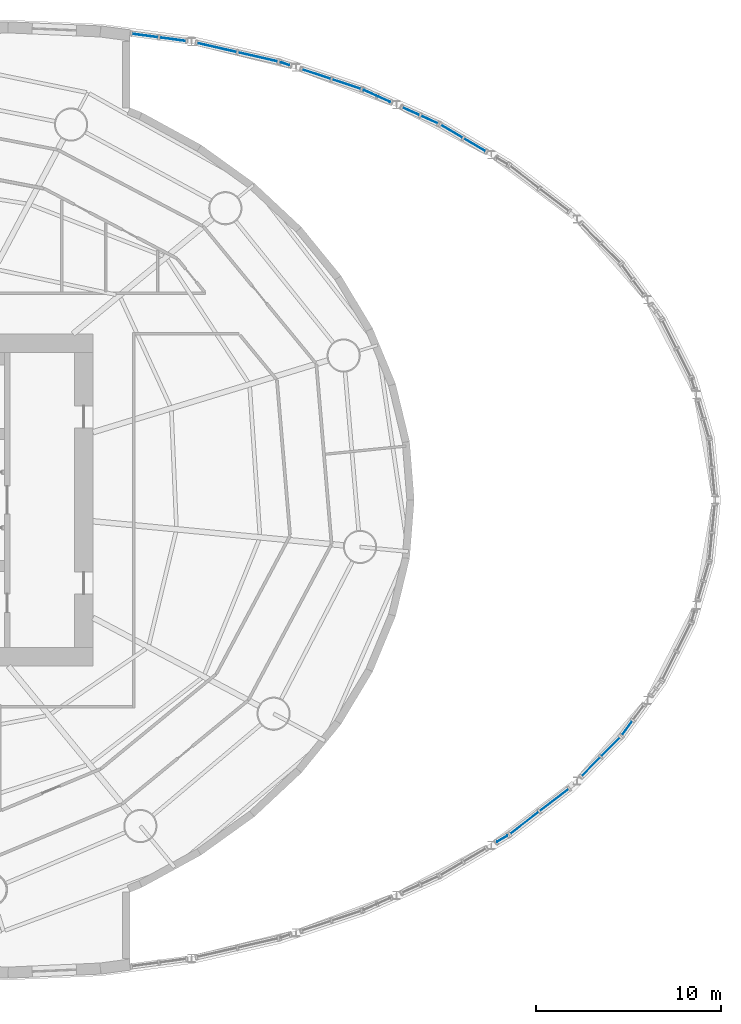
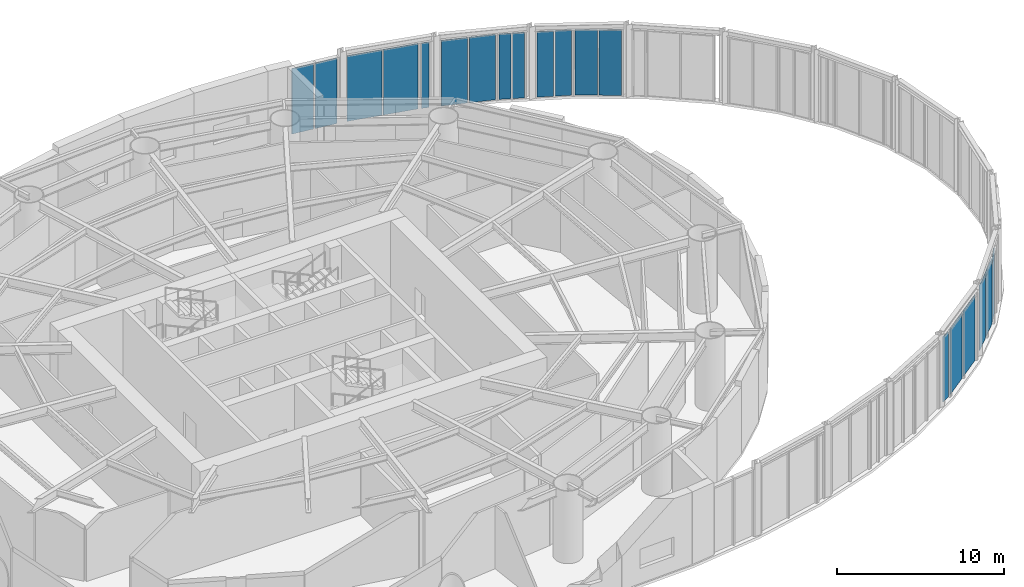
# One storey, part 12 of 19: 19 plates, 11 elements without a shape of their own.
"""IFC4 building model written with IfcOpenShell, lengths in metres."""

from ifc_helpers import new_model, si_unit, direction, frame, origin, origin_2d, place, context, subcontext, project, spatial, rectangle, extrude, material, layer, layer_set, type_object, element, aggregate, save


model = new_model("IFC4")

# Units and contexts
model_context = context("Model", 3, precision=1e-05, world=origin(), true_north=direction((0.0, 1.0)))
body_context = subcontext(model_context, "Body", "Model", "MODEL_VIEW")
ifc_project = project(units=[si_unit("LENGTHUNIT", "METRE"), si_unit("AREAUNIT", "SQUARE_METRE"), si_unit("VOLUMEUNIT", "CUBIC_METRE"), si_unit("PLANEANGLEUNIT", "RADIAN"), si_unit("MASSUNIT", "GRAM", prefix="KILO")], contexts=[model_context])

# Site, building, storey
site_placement = place(None, origin())
site = spatial("IfcSite", under=ifc_project, at=site_placement, CompositionType="ELEMENT")
building_placement = place(site_placement, origin())
building = spatial("IfcBuilding", under=site, at=building_placement, Name="Vermilion Reach Broadcast Tower", CompositionType="ELEMENT")
storey_placement = place(building_placement, frame((0.0, 0.0, 26.0)))
storey = spatial("IfcBuildingStorey", under=building, at=storey_placement, Name="L03", CompositionType="ELEMENT", Elevation=26.0)

# Curtain wall, plate
ifc_material_1 = material(Name="Low-e laminated clear glass in aluminium frame", Category="aluminium")
curtain_wall_type = type_object("IfcCurtainWallType", Name="Atrium outer wall curtain wall", PredefinedType="NOTDEFINED", material=ifc_material_1)
placement = place(storey_placement, origin())
curtain_wall_1 = element("IfcCurtainWall", 1, at=placement, inside=storey, type_object=curtain_wall_type, Name="Atrium wall L03 05-2", PredefinedType="NOTDEFINED")
ifc_material_2 = material(Name="Low-e laminated clear glass", Category="glass")
ifc_layer = layer(ifc_material_2, 0.035888671875)
ifc_layer_set = layer_set([ifc_layer], Name="Atrium outer wall glass panel")
plate_type = type_object("IfcPlateType", Name="Atrium outer wall glass panel", PredefinedType="CURTAIN_PANEL", material=ifc_layer_set)
plate_1_placement = place(storey_placement, frame((28.166748046875, -18.348876953125, 0.0), z_axis=(0.0, 0.0, 1.0), x_axis=(0.861009057017, 0.508589622127, 0.0)))
plate_1 = element("IfcPlate", 2, at=plate_1_placement, type_object=plate_type, Name="Atrium wall glass panel L03 05-2.1.1", PredefinedType="CURTAIN_PANEL", context=body_context, shape_type="SweptSolid", body=[
    extrude(rectangle(XDim=0.636474609375, YDim=0.035888671875, at=origin_2d()), origin(), (0.0, 0.0, 1.0), 4.7900390625),
])
aggregate(curtain_wall_1, [plate_1])

# Curtain wall, plates
curtain_wall_2 = element("IfcCurtainWall", 3, at=placement, inside=storey, type_object=curtain_wall_type, Name="Atrium wall L03 06", PredefinedType="NOTDEFINED")
plate_2_placement = place(storey_placement, frame((29.37158203125, -17.4873046875, 0.0), z_axis=(0.0, 0.0, 1.0), x_axis=(0.793082736826, 0.609113924113, 0.0)))
plate_2 = element("IfcPlate", 4, at=plate_2_placement, type_object=plate_type, Name="Atrium wall glass panel L03 06.1.1", PredefinedType="CURTAIN_PANEL", context=body_context, shape_type="SweptSolid", body=[
    extrude(rectangle(XDim=1.9296875, YDim=0.035888671875, at=origin_2d()), origin(), (0.0, 0.0, 1.0), 4.7900390625),
])
plate_3_placement = place(storey_placement, frame((30.981201171875, -16.2509765625, 0.0), z_axis=(0.0, 0.0, 1.0), x_axis=(0.793082736826, 0.609113924113, 0.0)))
plate_3 = element("IfcPlate", 5, at=plate_3_placement, type_object=plate_type, Name="Atrium wall glass panel L03 06.2.1", PredefinedType="CURTAIN_PANEL", context=body_context, shape_type="SweptSolid", body=[
    extrude(rectangle(XDim=1.9296875, YDim=0.035888671875, at=origin_2d()), origin(), (0.0, 0.0, 1.0), 4.7900390625),
])
aggregate(curtain_wall_2, [plate_2, plate_3])

curtain_wall_3 = element("IfcCurtainWall", 6, at=placement, inside=storey, type_object=curtain_wall_type, Name="Atrium wall L03 07", PredefinedType="NOTDEFINED")
plate_4_placement = place(storey_placement, frame((32.971435546875, -14.447509765625, 0.0), z_axis=(0.0, 0.0, 1.0), x_axis=(0.704276337997, 0.709925939614, 0.0)))
plate_4 = element("IfcPlate", 7, at=plate_4_placement, type_object=plate_type, Name="Atrium wall glass panel L03 07.1.1", PredefinedType="CURTAIN_PANEL", context=body_context, shape_type="SweptSolid", body=[
    extrude(rectangle(XDim=1.4091796875, YDim=0.035888671875, at=origin_2d()), origin(), (0.0, 0.0, 1.0), 4.7900390625),
])
plate_5_placement = place(storey_placement, frame((34.034423828125, -13.3759765625, 0.0), z_axis=(0.0, 0.0, 1.0), x_axis=(0.704276337997, 0.709925939614, 0.0)))
plate_5 = element("IfcPlate", 8, at=plate_5_placement, type_object=plate_type, Name="Atrium wall glass panel L03 07.2.1", PredefinedType="CURTAIN_PANEL", context=body_context, shape_type="SweptSolid", body=[
    extrude(rectangle(XDim=1.4091796875, YDim=0.035888671875, at=origin_2d()), origin(), (0.0, 0.0, 1.0), 4.7900390625),
])
aggregate(curtain_wall_3, [plate_4, plate_5])

# Curtain wall, plate
curtain_wall_4 = element("IfcCurtainWall", 9, at=placement, inside=storey, type_object=curtain_wall_type, Name="Atrium wall L03 08-1", PredefinedType="NOTDEFINED")
plate_6_placement = place(storey_placement, frame((34.93359375, -12.3505859375, 0.0), z_axis=(0.0, 0.0, 1.0), x_axis=(0.590759824697, 0.806847463604, 0.0)))
plate_6 = element("IfcPlate", 10, at=plate_6_placement, type_object=plate_type, Name="Atrium wall glass panel L03 08-1.1.1", PredefinedType="CURTAIN_PANEL", context=body_context, shape_type="SweptSolid", body=[
    extrude(rectangle(XDim=0.92578125, YDim=0.035888671875, at=origin_2d()), origin(), (0.0, 0.0, 1.0), 4.7900390625),
])
aggregate(curtain_wall_4, [plate_6])

# Curtain wall, plates
curtain_wall_5 = element("IfcCurtainWall", 11, at=placement, inside=storey, type_object=curtain_wall_type, Name="Atrium wall L03 18-2", PredefinedType="NOTDEFINED")
plate_7_placement = place(storey_placement, frame((26.669677734375, 19.233154296875, 0.0), z_axis=(0.0, 0.0, 1.0), x_axis=(-0.861009057017, 0.508589622127, 0.0)))
plate_7 = element("IfcPlate", 12, at=plate_7_placement, type_object=plate_type, Name="Atrium wall glass panel L03 18-2.1.1", PredefinedType="CURTAIN_PANEL", context=body_context, shape_type="SweptSolid", body=[
    extrude(rectangle(XDim=1.344970703125, YDim=0.035888671875, at=origin_2d()), origin(), (0.0, 0.0, 1.0), 4.7900390625),
])
plate_8_placement = place(storey_placement, frame((25.42578125, 19.968017578125, 0.0), z_axis=(0.0, 0.0, 1.0), x_axis=(-0.861009057017, 0.508589622127, 0.0)))
plate_8 = element("IfcPlate", 13, at=plate_8_placement, type_object=plate_type, Name="Atrium wall glass panel L03 18-2.2.1", PredefinedType="CURTAIN_PANEL", context=body_context, shape_type="SweptSolid", body=[
    extrude(rectangle(XDim=1.344970703125, YDim=0.035888671875, at=origin_2d()), origin(), (0.0, 0.0, 1.0), 4.7900390625),
])
aggregate(curtain_wall_5, [plate_7, plate_8])

curtain_wall_6 = element("IfcCurtainWall", 14, at=placement, inside=storey, type_object=curtain_wall_type, Name="Atrium wall L03 19-1", PredefinedType="NOTDEFINED")
plate_9_placement = place(storey_placement, frame((24.218017578125, 20.60498046875, 0.0), z_axis=(0.0, 0.0, 1.0), x_axis=(-0.911902064418, 0.410407876277, 0.0)))
plate_9 = element("IfcPlate", 15, at=plate_9_placement, type_object=plate_type, Name="Atrium wall glass panel L03 19-1.1.1", PredefinedType="CURTAIN_PANEL", context=body_context, shape_type="SweptSolid", body=[
    extrude(rectangle(XDim=0.990234375, YDim=0.035888671875, at=origin_2d()), origin(), (0.0, 0.0, 1.0), 4.7900390625),
])
plate_10_placement = place(storey_placement, frame((23.223876953125, 21.052490234375, 0.0), z_axis=(0.0, 0.0, 1.0), x_axis=(-0.911902064418, 0.410407876277, 0.0)))
plate_10 = element("IfcPlate", 16, at=plate_10_placement, type_object=plate_type, Name="Atrium wall glass panel L03 19-1.2.1", PredefinedType="CURTAIN_PANEL", context=body_context, shape_type="SweptSolid", body=[
    extrude(rectangle(XDim=0.990234375, YDim=0.035888671875, at=origin_2d()), origin(), (0.0, 0.0, 1.0), 4.7900390625),
])
aggregate(curtain_wall_6, [plate_9, plate_10])

curtain_wall_7 = element("IfcCurtainWall", 17, at=placement, inside=storey, type_object=curtain_wall_type, Name="Atrium wall L03 19-2", PredefinedType="NOTDEFINED")
plate_11_placement = place(storey_placement, frame((21.76123046875, 21.710693359375, 0.0), z_axis=(0.0, 0.0, 1.0), x_axis=(-0.911902064418, 0.410407876277, 0.0)))
plate_11 = element("IfcPlate", 18, at=plate_11_placement, type_object=plate_type, Name="Atrium wall glass panel L03 19-2.1.1", PredefinedType="CURTAIN_PANEL", context=body_context, shape_type="SweptSolid", body=[
    extrude(rectangle(XDim=0.721923828125, YDim=0.035888671875, at=origin_2d()), origin(), (0.0, 0.0, 1.0), 4.7900390625),
])
plate_12_placement = place(storey_placement, frame((21.01171875, 22.048095703125, 0.0), z_axis=(0.0, 0.0, 1.0), x_axis=(-0.911902064418, 0.410407876277, 0.0)))
plate_12 = element("IfcPlate", 19, at=plate_12_placement, type_object=plate_type, Name="Atrium wall glass panel L03 19-2.2.1", PredefinedType="CURTAIN_PANEL", context=body_context, shape_type="SweptSolid", body=[
    extrude(rectangle(XDim=0.721923828125, YDim=0.035888671875, at=origin_2d()), origin(), (0.0, 0.0, 1.0), 4.7900390625),
])
aggregate(curtain_wall_7, [plate_11, plate_12])

curtain_wall_8 = element("IfcCurtainWall", 20, at=placement, inside=storey, type_object=curtain_wall_type, Name="Atrium wall L03 20-1", PredefinedType="NOTDEFINED")
plate_13_placement = place(storey_placement, frame((19.73095703125, 22.52294921875, 0.0), z_axis=(0.0, 0.0, 1.0), x_axis=(-0.949015935462, 0.315228098746, 0.0)))
plate_13 = element("IfcPlate", 21, at=plate_13_placement, type_object=plate_type, Name="Atrium wall glass panel L03 20-1.1.1", PredefinedType="CURTAIN_PANEL", context=body_context, shape_type="SweptSolid", body=[
    extrude(rectangle(XDim=1.61328125, YDim=0.035888671875, at=origin_2d()), origin(), (0.0, 0.0, 1.0), 4.7900390625),
])
plate_14_placement = place(storey_placement, frame((18.10498046875, 23.06298828125, 0.0), z_axis=(0.0, 0.0, 1.0), x_axis=(-0.949015935462, 0.315228098746, 0.0)))
plate_14 = element("IfcPlate", 22, at=plate_14_placement, type_object=plate_type, Name="Atrium wall glass panel L03 20-1.2.1", PredefinedType="CURTAIN_PANEL", context=body_context, shape_type="SweptSolid", body=[
    extrude(rectangle(XDim=1.61328125, YDim=0.035888671875, at=origin_2d()), origin(), (0.0, 0.0, 1.0), 4.7900390625),
])
aggregate(curtain_wall_8, [plate_13, plate_14])

# Curtain wall, plate
curtain_wall_9 = element("IfcCurtainWall", 23, at=placement, inside=storey, type_object=curtain_wall_type, Name="Atrium wall L03 20-2", PredefinedType="NOTDEFINED")
plate_15_placement = place(storey_placement, frame((16.40771484375, 23.626708984375, 0.0), z_axis=(0.0, 0.0, 1.0), x_axis=(-0.949015935462, 0.315228098746, 0.0)))
plate_15 = element("IfcPlate", 24, at=plate_15_placement, type_object=plate_type, Name="Atrium wall glass panel L03 20-2.1.1", PredefinedType="CURTAIN_PANEL", context=body_context, shape_type="SweptSolid", body=[
    extrude(rectangle(XDim=0.467529296875, YDim=0.035888671875, at=origin_2d()), origin(), (0.0, 0.0, 1.0), 4.7900390625),
])
aggregate(curtain_wall_9, [plate_15])

# Curtain wall, plates
curtain_wall_10 = element("IfcCurtainWall", 25, at=placement, inside=storey, type_object=curtain_wall_type, Name="Atrium wall L03 21", PredefinedType="NOTDEFINED")
plate_16_placement = place(storey_placement, frame((14.930419921875, 23.997314453125, 0.0), z_axis=(0.0, 0.0, 1.0), x_axis=(-0.974843253478, 0.222891523278, 0.0)))
plate_16 = element("IfcPlate", 26, at=plate_16_placement, type_object=plate_type, Name="Atrium wall glass panel L03 21.1.1", PredefinedType="CURTAIN_PANEL", context=body_context, shape_type="SweptSolid", body=[
    extrude(rectangle(XDim=2.18115234375, YDim=0.035888671875, at=origin_2d()), origin(), (0.0, 0.0, 1.0), 4.7900390625),
])
plate_17_placement = place(storey_placement, frame((12.70654296875, 24.505859375, 0.0), z_axis=(0.0, 0.0, 1.0), x_axis=(-0.974843253478, 0.222891523278, 0.0)))
plate_17 = element("IfcPlate", 27, at=plate_17_placement, type_object=plate_type, Name="Atrium wall glass panel L03 21.2.1", PredefinedType="CURTAIN_PANEL", context=body_context, shape_type="SweptSolid", body=[
    extrude(rectangle(XDim=2.18115234375, YDim=0.035888671875, at=origin_2d()), origin(), (0.0, 0.0, 1.0), 4.7900390625),
])
aggregate(curtain_wall_10, [plate_16, plate_17])

curtain_wall_11 = element("IfcCurtainWall", 28, at=placement, inside=storey, type_object=curtain_wall_type, Name="Atrium wall L03 22", PredefinedType="NOTDEFINED")
plate_18_placement = place(storey_placement, frame((10.322265625, 24.954833984375, 0.0), z_axis=(0.0, 0.0, 1.0), x_axis=(-0.991143697753, 0.132793713723, 0.0)))
plate_18 = element("IfcPlate", 29, at=plate_18_placement, type_object=plate_type, Name="Atrium wall glass panel L03 22.1.1", PredefinedType="CURTAIN_PANEL", context=body_context, shape_type="SweptSolid", body=[
    extrude(rectangle(XDim=1.419921875, YDim=0.035888671875, at=origin_2d()), origin(), (0.0, 0.0, 1.0), 4.7900390625),
])
plate_19_placement = place(storey_placement, frame((8.81591796875, 25.15673828125, 0.0), z_axis=(0.0, 0.0, 1.0), x_axis=(-0.991143697753, 0.132793713723, 0.0)))
plate_19 = element("IfcPlate", 30, at=plate_19_placement, type_object=plate_type, Name="Atrium wall glass panel L03 22.2.1", PredefinedType="CURTAIN_PANEL", context=body_context, shape_type="SweptSolid", body=[
    extrude(rectangle(XDim=1.419921875, YDim=0.035888671875, at=origin_2d()), origin(), (0.0, 0.0, 1.0), 4.7900390625),
])
aggregate(curtain_wall_11, [plate_18, plate_19])

save(model, "model.ifc")
